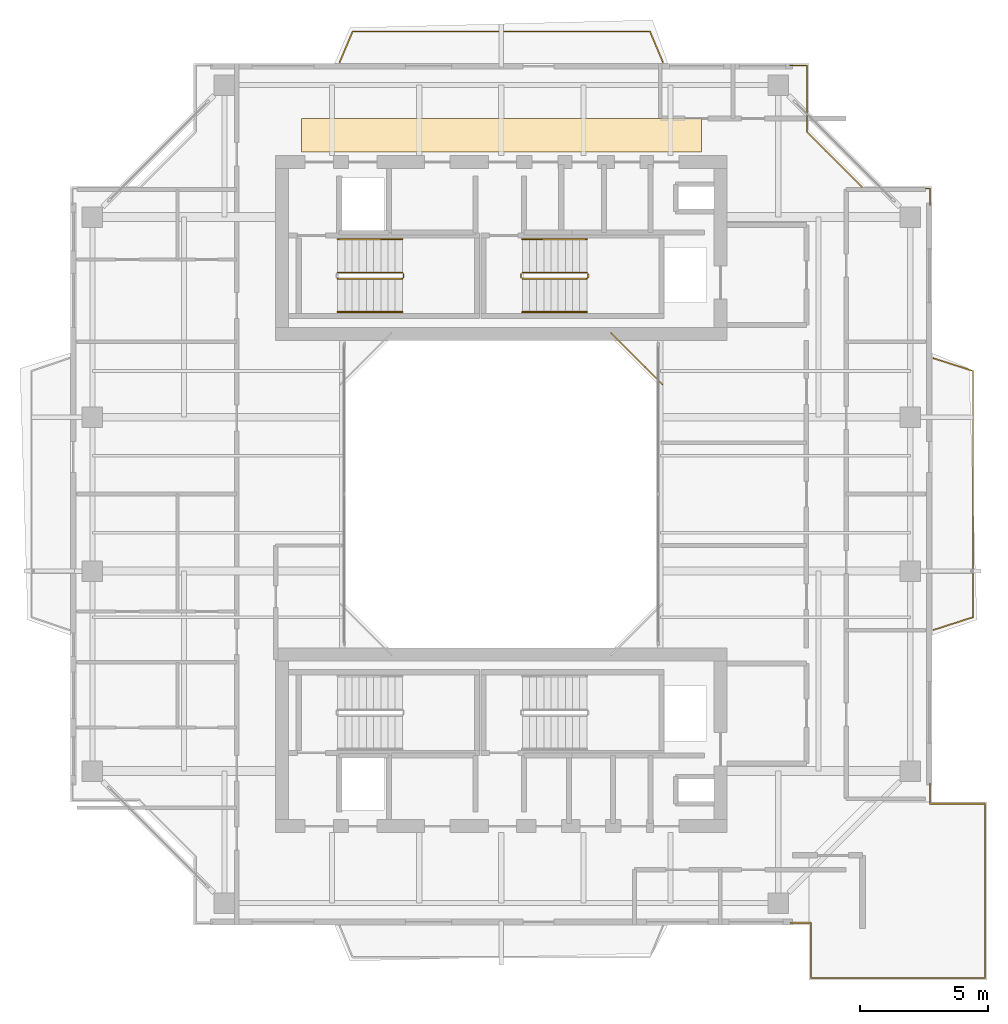
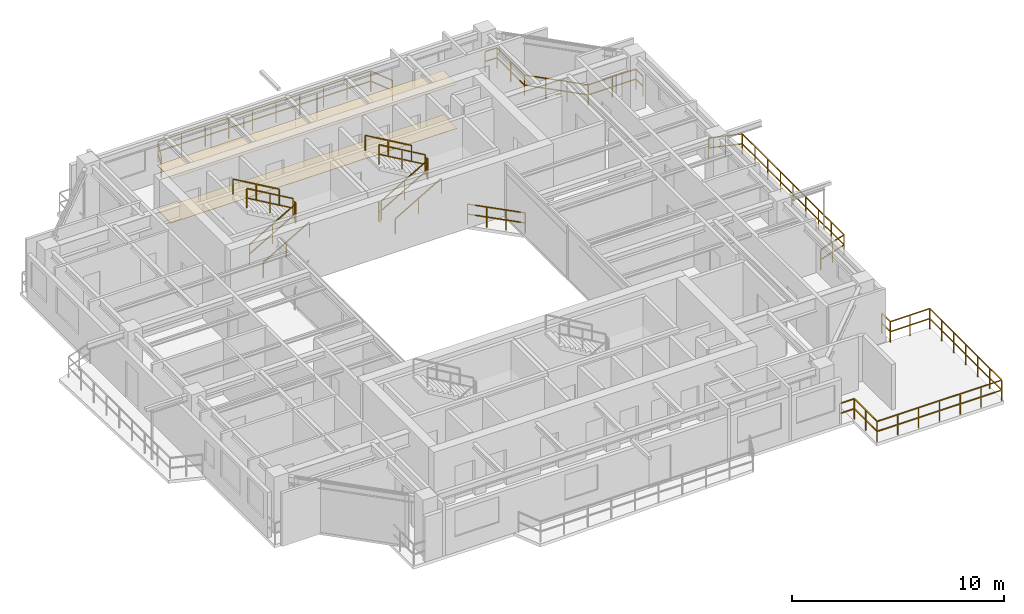
# One storey, part 15 of 15: 16 railings, 2 coverings.
"""IFC4 building model written with IfcOpenShell, lengths in metres."""

import ifcopenshell
import ifcopenshell.guid

model = None  # the IFC model being written
_history = None  # IfcOwnerHistory: only IFC2X3 demands one
_inside = {}  # id of a spatial element -> (the spatial element, [elements in it])
_under = {}  # id of a project, library or spatial element -> (it, [spatial elements below it])
_declared = {}  # id of a project -> (the project, [libraries it declares])
_typed = {}  # id of a type object -> (the type object, [elements of that type])
_made_of = {}  # id of a material, layer set ... -> (it, [elements and type objects made of it])


def new_model(schema):
    """Start an empty IFC model of exactly this schema.

    Asked for "IFC4X3", IfcOpenShell would pick the latest addendum, in which some entities
    have other attributes; the version numbers below select the first issue.
    IFC2X3 requires an IfcOwnerHistory on every rooted entity: one is made here for all.
    """
    global model, _history
    if schema == "IFC4X3":
        model = ifcopenshell.file(schema_version=(4, 3, 0, 0))
    else:
        model = ifcopenshell.file(schema=schema)
    _inside.clear()
    _under.clear()
    _declared.clear()
    _typed.clear()
    _made_of.clear()
    _history = None
    if model.schema == "IFC2X3":
        org = make("IfcOrganization", Name="unknown")
        user = make(
            "IfcPersonAndOrganization",
            ThePerson=make("IfcPerson", FamilyName="unknown"),
            TheOrganization=org,
        )
        app = make(
            "IfcApplication",
            ApplicationDeveloper=org,
            Version="unknown",
            ApplicationFullName="unknown",
            ApplicationIdentifier="unknown",
        )
        _history = make(
            "IfcOwnerHistory",
            OwningUser=user,
            OwningApplication=app,
            ChangeAction="ADDED",
            CreationDate=0,
        )
    return model


def make(cls, **values):
    """One entity of the class cls with the attributes given. An attribute that is None is left unset."""
    return model.create_entity(
        cls, **{name: value for name, value in values.items() if value is not None}
    )


def rooted(cls, **values):
    """An entity with a GlobalId (a new one), such as an element, a storey or a relation."""
    return make(cls, GlobalId=ifcopenshell.guid.new(), OwnerHistory=_history, **values)


def si_unit(unit_type, name, prefix=None):
    """IfcSIUnit, for example si_unit("LENGTHUNIT", "METRE", prefix="MILLI")."""
    return make("IfcSIUnit", UnitType=unit_type, Prefix=prefix, Name=name)


def assignment(units):
    """IfcUnitAssignment: the units of a project."""
    return None if units is None else make("IfcUnitAssignment", Units=units)


def point(xyz):
    """IfcCartesianPoint."""
    return None if xyz is None else make("IfcCartesianPoint", Coordinates=xyz)


def direction(xyz):
    """IfcDirection."""
    return None if xyz is None else make("IfcDirection", DirectionRatios=xyz)


def frame(location, z_axis=None, x_axis=None):
    """IfcAxis2Placement3D, a coordinate frame: its origin and axes. An axis left out is left unset."""
    return make(
        "IfcAxis2Placement3D",
        Location=point(location),
        Axis=direction(z_axis),
        RefDirection=direction(x_axis),
    )


def frame_2d(location, x_axis=None):
    """IfcAxis2Placement2D, a coordinate frame in the plane: its origin and x axis."""
    return make(
        "IfcAxis2Placement2D", Location=point(location), RefDirection=direction(x_axis)
    )


def origin():
    """The frame at (0, 0, 0) with its axes left unset."""
    return frame((0.0, 0.0, 0.0))


def origin_2d():
    """The frame at (0, 0) in the plane with its x axis left unset."""
    return frame_2d((0.0, 0.0))


def place(relative_to, where):
    """IfcLocalPlacement: puts the frame where relative to a parent placement (None: the world)."""
    return make(
        "IfcLocalPlacement", PlacementRelTo=relative_to, RelativePlacement=where
    )


def context(
    kind, dimensions, precision=None, world=None, true_north=None, identifier=None
):
    """IfcGeometricRepresentationContext, for example the 3D "Model" context."""
    return make(
        "IfcGeometricRepresentationContext",
        ContextIdentifier=identifier,
        ContextType=kind,
        CoordinateSpaceDimension=dimensions,
        Precision=precision,
        WorldCoordinateSystem=world,
        TrueNorth=true_north,
    )


def subcontext(parent, identifier, kind, view, scale=None):
    """IfcGeometricRepresentationSubContext, for example "Body" below "Model"."""
    return make(
        "IfcGeometricRepresentationSubContext",
        ContextIdentifier=identifier,
        ContextType=kind,
        ParentContext=parent,
        TargetScale=scale,
        TargetView=view,
    )


def project(units=None, contexts=None):
    """IfcProject with its units and contexts."""
    return rooted(
        "IfcProject",
        Name="project",
        RepresentationContexts=contexts,
        UnitsInContext=assignment(units),
    )


def spatial(cls, under=None, at=None, **own):
    """A site, building, storey or space (cls), placed at a placement, below another one or the project."""
    s = rooted(cls, ObjectPlacement=at, **own)
    if under is not None:
        _under.setdefault(under.id(), (under, []))[1].append(s)
    return s


def polyline(points):
    """IfcPolyline through the points."""
    return make("IfcPolyline", Points=[point(p) for p in points])


def profile(cls, at=None, kind="AREA", **sizes):
    """A parametric profile (cls). Its sizes go by their IFC names, for example OverallWidth=200.0."""
    return make(cls, ProfileType=kind, Position=at, **sizes)


def rectangle(**sizes):
    """IfcRectangleProfileDef."""
    return profile("IfcRectangleProfileDef", **sizes)


def outline(outer, holes=None, kind="AREA"):
    """IfcArbitraryClosedProfileDef: a profile drawn as a closed curve; with holes, ...WithVoids."""
    if holes is None:
        return make("IfcArbitraryClosedProfileDef", ProfileType=kind, OuterCurve=outer)
    return make(
        "IfcArbitraryProfileDefWithVoids",
        ProfileType=kind,
        OuterCurve=outer,
        InnerCurves=holes,
    )


def extrude(swept, where, along, depth):
    """IfcExtrudedAreaSolid: the profile swept, set in the frame where, extruded along a direction by depth."""
    return make(
        "IfcExtrudedAreaSolid",
        SweptArea=swept,
        Position=where,
        ExtrudedDirection=direction(along),
        Depth=depth,
    )


def shape(context_of_items, identifier, shape_type, items):
    """IfcShapeRepresentation: the items that make up one representation, for example the "Body"."""
    return make(
        "IfcShapeRepresentation",
        ContextOfItems=context_of_items,
        RepresentationIdentifier=identifier,
        RepresentationType=shape_type,
        Items=items,
    )


def material(Name=None, Category=None):
    """IfcMaterial."""
    return make("IfcMaterial", Name=Name, Category=Category)


def layer(
    of_material, thickness, ventilated=None, Name=None, Category=None, Priority=None
):
    """IfcMaterialLayer: one layer of a wall or slab, of a material (None: an air gap)."""
    return make(
        "IfcMaterialLayer",
        Material=of_material,
        LayerThickness=thickness,
        IsVentilated=ventilated,
        Name=Name,
        Category=Category,
        Priority=Priority,
    )


def layer_set(layers, Name=None):
    """IfcMaterialLayerSet."""
    return make("IfcMaterialLayerSet", MaterialLayers=layers, LayerSetName=Name)


def made_of(thing, what):
    """Note that an element or type object is made of a material, layer set ...; save() writes the relation."""
    if what is not None:
        _made_of.setdefault(what.id(), (what, []))[1].append(thing)
    return thing


def type_object(cls, material=None, **own):
    """A type object (cls), such as IfcWallType, which elements share."""
    return made_of(rooted(cls, **own), material)


def element(
    cls,
    number,
    at=None,
    inside=None,
    cuts=None,
    type_object=None,
    material=None,
    context=None,
    identifier="Body",
    shape_type=None,
    held_by="IfcProductDefinitionShape",
    body=None,
    shapes=None,
    **own,
):
    """One element of the class cls, such as IfcWall. Its Tag is "e" and its number.

    at: its placement. inside: the storey or other place that contains it. cuts: it is an
    opening in that element (IfcRelVoidsElement). A single representation is given by context,
    identifier, shape_type and body (its items); several are given by shapes. held_by: the class
    of the entity that holds the representations. save() writes the other relations.
    """
    e = rooted(cls, Tag="e%d" % number, ObjectPlacement=at, **own)
    if body is not None:
        shapes = [shape(context, identifier, shape_type, body)]
    if shapes is not None:
        e.Representation = make(held_by, Representations=shapes)
    if inside is not None:
        _inside.setdefault(inside.id(), (inside, []))[1].append(e)
    if cuts is not None:
        rooted(
            "IfcRelVoidsElement", RelatingBuildingElement=cuts, RelatedOpeningElement=e
        )
    if type_object is not None:
        _typed.setdefault(type_object.id(), (type_object, []))[1].append(e)
    return made_of(e, material)


def aggregate(whole, parts):
    """IfcRelAggregates: a whole, such as a stair, and the parts it consists of."""
    return rooted("IfcRelAggregates", RelatingObject=whole, RelatedObjects=parts)


def save(model, path):
    """Write the relations noted so far, then the file.

    IfcRelAggregates (storeys below a building ...), IfcRelContainedInSpatialStructure (elements
    in a storey), IfcRelDefinesByType, IfcRelAssociatesMaterial and IfcRelDeclares: one each for
    every whole, place, type object, material and project.
    """
    for whole, parts in _under.values():
        aggregate(whole, parts)
    for where, things in _inside.values():
        rooted(
            "IfcRelContainedInSpatialStructure",
            RelatedElements=things,
            RelatingStructure=where,
        )
    for kind, things in _typed.values():
        rooted("IfcRelDefinesByType", RelatedObjects=things, RelatingType=kind)
    for what, things in _made_of.values():
        rooted("IfcRelAssociatesMaterial", RelatedObjects=things, RelatingMaterial=what)
    for by, libraries in _declared.values():
        rooted("IfcRelDeclares", RelatingContext=by, RelatedDefinitions=libraries)
    model.write(path)


model = new_model("IFC4")

# Units and contexts
model_context = context("Model", 3, precision=1e-05, world=origin(), true_north=direction((0.0, 1.0)))
body_context = subcontext(model_context, "Body", "Model", "MODEL_VIEW")
ifc_project = project(units=[si_unit("LENGTHUNIT", "METRE"), si_unit("AREAUNIT", "SQUARE_METRE"), si_unit("VOLUMEUNIT", "CUBIC_METRE"), si_unit("PLANEANGLEUNIT", "RADIAN"), si_unit("MASSUNIT", "GRAM", prefix="KILO"), si_unit("THERMODYNAMICTEMPERATUREUNIT", "KELVIN"), si_unit("POWERUNIT", "WATT")], contexts=[model_context])

# Site, building, storey
site_placement = place(None, origin())
site = spatial("IfcSite", under=ifc_project, at=site_placement, CompositionType="ELEMENT")
building_placement = place(site_placement, origin())
building = spatial("IfcBuilding", under=site, at=building_placement, Name="Qiaomeng Ring Towers", CompositionType="ELEMENT")
storey_placement = place(building_placement, frame((0.0, 0.0, 213.25)))
storey = spatial("IfcBuildingStorey", under=building, at=storey_placement, Name="L62", CompositionType="ELEMENT", Elevation=213.25)

# Coverings
ifc_material_1 = material(Name="Mineral fibre acoustic ceiling tile", Category="gypsum")
ifc_layer_1 = layer(ifc_material_1, 0.02490234375, Name="Mineral fibre acoustic ceiling tile")
ifc_layer_set_1 = layer_set([ifc_layer_1], Name="Mineral fibre acoustic ceiling tile")
covering_type_1 = type_object("IfcCoveringType", Name="ARC-COV-CEIL1", PredefinedType="CEILING", material=ifc_layer_set_1)
covering_1_placement = place(storey_placement, frame((0.0, 0.0, 2.550048828125)))
element("IfcCovering", 1, at=covering_1_placement, inside=storey, type_object=covering_type_1, Name="L62 Corridor Acoustic Ceiling", PredefinedType="CEILING", context=body_context, shape_type="SweptSolid", body=[
    extrude(outline(polyline([(11.199951171875, 36.35009765625), (11.199951171875, 37.64990234375), (26.800048828125, 37.64990234375), (26.800048828125, 36.35009765625), (11.199951171875, 36.35009765625)])), origin(), (0.0, 0.0, 1.0), 0.02490234375),
])
ifc_material_2 = material(Name="Vitrified porcelain floor tile", Category="ceramic")
ifc_layer_2 = layer(ifc_material_2, 0.02001953125, Name="Vitrified porcelain floor tile")
ifc_layer_set_2 = layer_set([ifc_layer_2], Name="Vitrified porcelain floor tile")
covering_type_2 = type_object("IfcCoveringType", Name="ARC-COV-FLR1", PredefinedType="FLOORING", material=ifc_layer_set_2)
covering_2_placement = place(storey_placement, origin())
element("IfcCovering", 2, at=covering_2_placement, inside=storey, type_object=covering_type_2, Name="L62 Corridor Stone Flooring", PredefinedType="FLOORING", context=body_context, shape_type="SweptSolid", body=[
    extrude(outline(polyline([(11.199951171875, 36.35009765625), (11.199951171875, 37.64990234375), (26.800048828125, 37.64990234375), (26.800048828125, 36.35009765625), (11.199951171875, 36.35009765625)])), origin(), (0.0, 0.0, 1.0), 0.02001953125),
])

# Railings
ifc_material_3 = material(Name="Low-E pale-green laminated safety glass", Category="glass")
railing_type_1 = type_object("IfcRailingType", Name="ARC-RL-BAL1", PredefinedType="BALUSTRADE", material=ifc_material_3)
railing_1_placement = place(storey_placement, frame((25.280029296875, 27.280029296875, 0.0)))
element("IfcRailing", 3, at=railing_1_placement, inside=storey, type_object=railing_type_1, Name="L62 Balustrade ARC-BAL-WELL1-L62-2", PredefinedType="BALUSTRADE", context=body_context, shape_type="SweptSolid", body=[
    extrude(rectangle(XDim=0.048095703125, YDim=0.048095703125, at=origin_2d()), frame((0.0, 0.0, 1.17578125), z_axis=(-0.707106781187, 0.707106781187, 0.0), x_axis=(-0.707106781187, -0.707106781187, 0.0)), (0.0, 0.0, 1.0), 2.828369140625),
    extrude(rectangle(XDim=0.048095703125, YDim=0.048095703125, at=origin_2d()), frame((0.0, 0.0, 0.60009765625), z_axis=(-0.707106781187, 0.707106781187, 0.0), x_axis=(-0.707106781187, -0.707106781187, 0.0)), (0.0, 0.0, 1.0), 2.828369140625),
    extrude(rectangle(XDim=0.0419921875, YDim=0.0419921875, at=origin_2d()), origin(), (0.0, 0.0, 1.0), 1.15185546875),
    extrude(rectangle(XDim=0.0419921875, YDim=0.0419921875, at=origin_2d()), frame((-0.666748046875, 0.666748046875, 0.0)), (0.0, 0.0, 1.0), 1.15185546875),
    extrude(rectangle(XDim=0.0419921875, YDim=0.0419921875, at=origin_2d()), frame((-1.333251953125, 1.333251953125, 0.0)), (0.0, 0.0, 1.0), 1.15185546875),
    extrude(rectangle(XDim=0.0419921875, YDim=0.0419921875, at=origin_2d()), frame((-2.0, 2.0, 0.0)), (0.0, 0.0, 1.0), 1.15185546875),
])
railing_2_placement = place(storey_placement, frame((30.280029296875, 6.280029296875, 0.0)))
element("IfcRailing", 4, at=railing_2_placement, inside=storey, type_object=railing_type_1, Name="L62 Balustrade ARC-BAL-L62-SPIRAL-SE", PredefinedType="BALUSTRADE", context=body_context, shape_type="SweptSolid", body=[
    extrude(rectangle(XDim=0.048095703125, YDim=0.048095703125, at=origin_2d()), frame((0.0, 0.0, 1.17578125), z_axis=(1.0, 0.0, 0.0), x_axis=(0.0, 1.0, 0.0)), (0.0, 0.0, 1.0), 0.800048828125),
    extrude(rectangle(XDim=0.048095703125, YDim=0.048095703125, at=origin_2d()), frame((0.0, 0.0, 0.60009765625), z_axis=(1.0, 0.0, 0.0), x_axis=(0.0, 1.0, 0.0)), (0.0, 0.0, 1.0), 0.800048828125),
    extrude(rectangle(XDim=0.048095703125, YDim=0.048095703125, at=origin_2d()), frame((0.800048828125, 0.0, 1.17578125), z_axis=(0.0, -1.0, 0.0), x_axis=(1.0, 0.0, 0.0)), (0.0, 0.0, 1.0), 2.150146484375),
    extrude(rectangle(XDim=0.048095703125, YDim=0.048095703125, at=origin_2d()), frame((0.800048828125, 0.0, 0.60009765625), z_axis=(0.0, -1.0, 0.0), x_axis=(1.0, 0.0, 0.0)), (0.0, 0.0, 1.0), 2.150146484375),
    extrude(rectangle(XDim=0.048095703125, YDim=0.048095703125, at=origin_2d()), frame((0.800048828125, -2.150146484375, 1.17578125), z_axis=(1.0, 0.0, 0.0), x_axis=(0.0, 1.0, 0.0)), (0.0, 0.0, 1.0), 6.7900390625),
    extrude(rectangle(XDim=0.048095703125, YDim=0.048095703125, at=origin_2d()), frame((0.800048828125, -2.150146484375, 0.60009765625), z_axis=(1.0, 0.0, 0.0), x_axis=(0.0, 1.0, 0.0)), (0.0, 0.0, 1.0), 6.7900390625),
    extrude(rectangle(XDim=0.048095703125, YDim=0.048095703125, at=origin_2d()), frame((7.590087890625, -2.150146484375, 1.17578125), z_axis=(0.0, 1.0, 0.0), x_axis=(-1.0, 0.0, 0.0)), (0.0, 0.0, 1.0), 6.7900390625),
    extrude(rectangle(XDim=0.048095703125, YDim=0.048095703125, at=origin_2d()), frame((7.590087890625, -2.150146484375, 0.60009765625), z_axis=(0.0, 1.0, 0.0), x_axis=(-1.0, 0.0, 0.0)), (0.0, 0.0, 1.0), 6.7900390625),
    extrude(rectangle(XDim=0.048095703125, YDim=0.048095703125, at=origin_2d()), frame((7.590087890625, 4.639892578125, 1.17578125), z_axis=(-1.0, 0.0, 0.0), x_axis=(0.0, -1.0, 0.0)), (0.0, 0.0, 1.0), 2.150146484375),
    extrude(rectangle(XDim=0.048095703125, YDim=0.048095703125, at=origin_2d()), frame((7.590087890625, 4.639892578125, 0.60009765625), z_axis=(-1.0, 0.0, 0.0), x_axis=(0.0, -1.0, 0.0)), (0.0, 0.0, 1.0), 2.150146484375),
    extrude(rectangle(XDim=0.048095703125, YDim=0.048095703125, at=origin_2d()), frame((5.43994140625, 4.639892578125, 1.17578125), z_axis=(0.0, 1.0, 0.0), x_axis=(-1.0, 0.0, 0.0)), (0.0, 0.0, 1.0), 0.800048828125),
    extrude(rectangle(XDim=0.048095703125, YDim=0.048095703125, at=origin_2d()), frame((5.43994140625, 4.639892578125, 0.60009765625), z_axis=(0.0, 1.0, 0.0), x_axis=(-1.0, 0.0, 0.0)), (0.0, 0.0, 1.0), 0.800048828125),
    extrude(rectangle(XDim=0.0419921875, YDim=0.0419921875, at=origin_2d()), origin(), (0.0, 0.0, 1.0), 1.15185546875),
    extrude(rectangle(XDim=0.0419921875, YDim=0.0419921875, at=origin_2d()), frame((0.800048828125, 0.0, 0.0)), (0.0, 0.0, 1.0), 1.15185546875),
    extrude(rectangle(XDim=0.0419921875, YDim=0.0419921875, at=origin_2d()), frame((0.800048828125, -1.0751953125, 0.0)), (0.0, 0.0, 1.0), 1.15185546875),
    extrude(rectangle(XDim=0.0419921875, YDim=0.0419921875, at=origin_2d()), frame((0.800048828125, -2.150146484375, 0.0)), (0.0, 0.0, 1.0), 1.15185546875),
    extrude(rectangle(XDim=0.0419921875, YDim=0.0419921875, at=origin_2d()), frame((1.931640625, -2.150146484375, 0.0)), (0.0, 0.0, 1.0), 1.15185546875),
    extrude(rectangle(XDim=0.0419921875, YDim=0.0419921875, at=origin_2d()), frame((3.0634765625, -2.150146484375, 0.0)), (0.0, 0.0, 1.0), 1.15185546875),
    extrude(rectangle(XDim=0.0419921875, YDim=0.0419921875, at=origin_2d()), frame((4.195068359375, -2.150146484375, 0.0)), (0.0, 0.0, 1.0), 1.15185546875),
    extrude(rectangle(XDim=0.0419921875, YDim=0.0419921875, at=origin_2d()), frame((5.32666015625, -2.150146484375, 0.0)), (0.0, 0.0, 1.0), 1.15185546875),
    extrude(rectangle(XDim=0.0419921875, YDim=0.0419921875, at=origin_2d()), frame((6.45849609375, -2.150146484375, 0.0)), (0.0, 0.0, 1.0), 1.15185546875),
    extrude(rectangle(XDim=0.0419921875, YDim=0.0419921875, at=origin_2d()), frame((7.590087890625, -2.150146484375, 0.0)), (0.0, 0.0, 1.0), 1.15185546875),
    extrude(rectangle(XDim=0.0419921875, YDim=0.0419921875, at=origin_2d()), frame((7.590087890625, -1.0185546875, 0.0)), (0.0, 0.0, 1.0), 1.15185546875),
    extrude(rectangle(XDim=0.0419921875, YDim=0.0419921875, at=origin_2d()), frame((7.590087890625, 0.11328125, 0.0)), (0.0, 0.0, 1.0), 1.15185546875),
    extrude(rectangle(XDim=0.0419921875, YDim=0.0419921875, at=origin_2d()), frame((7.590087890625, 1.244873046875, 0.0)), (0.0, 0.0, 1.0), 1.15185546875),
    extrude(rectangle(XDim=0.0419921875, YDim=0.0419921875, at=origin_2d()), frame((7.590087890625, 2.37646484375, 0.0)), (0.0, 0.0, 1.0), 1.15185546875),
    extrude(rectangle(XDim=0.0419921875, YDim=0.0419921875, at=origin_2d()), frame((7.590087890625, 3.50830078125, 0.0)), (0.0, 0.0, 1.0), 1.15185546875),
    extrude(rectangle(XDim=0.0419921875, YDim=0.0419921875, at=origin_2d()), frame((7.590087890625, 4.639892578125, 0.0)), (0.0, 0.0, 1.0), 1.15185546875),
    extrude(rectangle(XDim=0.0419921875, YDim=0.0419921875, at=origin_2d()), frame((6.51513671875, 4.639892578125, 0.0)), (0.0, 0.0, 1.0), 1.15185546875),
    extrude(rectangle(XDim=0.0419921875, YDim=0.0419921875, at=origin_2d()), frame((5.43994140625, 4.639892578125, 0.0)), (0.0, 0.0, 1.0), 1.15185546875),
    extrude(rectangle(XDim=0.0419921875, YDim=0.0419921875, at=origin_2d()), frame((5.43994140625, 5.43994140625, 0.0)), (0.0, 0.0, 1.0), 1.15185546875),
])
railing_3_placement = place(storey_placement, frame((35.719970703125, 34.27001953125, 0.0)))
element("IfcRailing", 5, at=railing_3_placement, inside=storey, type_object=railing_type_1, Name="L62 Balustrade ARC-BAL-NOTCH1-L62-NE", PredefinedType="BALUSTRADE", context=body_context, shape_type="SweptSolid", body=[
    extrude(rectangle(XDim=0.048095703125, YDim=0.048095703125, at=origin_2d()), frame((0.0, 0.0, 1.17578125), z_axis=(0.0, 1.0, 0.0), x_axis=(-1.0, 0.0, 0.0)), (0.0, 0.0, 1.0), 0.64990234375),
    extrude(rectangle(XDim=0.048095703125, YDim=0.048095703125, at=origin_2d()), frame((0.0, 0.0, 0.60009765625), z_axis=(0.0, 1.0, 0.0), x_axis=(-1.0, 0.0, 0.0)), (0.0, 0.0, 1.0), 0.64990234375),
    extrude(rectangle(XDim=0.048095703125, YDim=0.048095703125, at=origin_2d()), frame((0.0, 0.64990234375, 1.17578125), z_axis=(-1.0, 0.0, 0.0), x_axis=(0.0, -1.0, 0.0)), (0.0, 0.0, 1.0), 2.599853515625),
    extrude(rectangle(XDim=0.048095703125, YDim=0.048095703125, at=origin_2d()), frame((0.0, 0.64990234375, 0.60009765625), z_axis=(-1.0, 0.0, 0.0), x_axis=(0.0, -1.0, 0.0)), (0.0, 0.0, 1.0), 2.599853515625),
    extrude(rectangle(XDim=0.048095703125, YDim=0.048095703125, at=origin_2d()), frame((-2.599853515625, 0.64990234375, 1.17578125), z_axis=(-0.707106781187, 0.707106781187, 0.0), x_axis=(-0.707106781187, -0.707106781187, 0.0)), (0.0, 0.0, 1.0), 3.111572265625),
    extrude(rectangle(XDim=0.048095703125, YDim=0.048095703125, at=origin_2d()), frame((-2.599853515625, 0.64990234375, 0.60009765625), z_axis=(-0.707106781187, 0.707106781187, 0.0), x_axis=(-0.707106781187, -0.707106781187, 0.0)), (0.0, 0.0, 1.0), 3.111572265625),
    extrude(rectangle(XDim=0.048095703125, YDim=0.048095703125, at=origin_2d()), frame((-4.800048828125, 2.85009765625, 1.17578125), z_axis=(0.0, 1.0, 0.0), x_axis=(-1.0, 0.0, 0.0)), (0.0, 0.0, 1.0), 2.599853515625),
    extrude(rectangle(XDim=0.048095703125, YDim=0.048095703125, at=origin_2d()), frame((-4.800048828125, 2.85009765625, 0.60009765625), z_axis=(0.0, 1.0, 0.0), x_axis=(-1.0, 0.0, 0.0)), (0.0, 0.0, 1.0), 2.599853515625),
    extrude(rectangle(XDim=0.048095703125, YDim=0.048095703125, at=origin_2d()), frame((-4.800048828125, 5.449951171875, 1.17578125), z_axis=(-1.0, 0.0, 0.0), x_axis=(0.0, -1.0, 0.0)), (0.0, 0.0, 1.0), 0.64990234375),
    extrude(rectangle(XDim=0.048095703125, YDim=0.048095703125, at=origin_2d()), frame((-4.800048828125, 5.449951171875, 0.60009765625), z_axis=(-1.0, 0.0, 0.0), x_axis=(0.0, -1.0, 0.0)), (0.0, 0.0, 1.0), 0.64990234375),
    extrude(rectangle(XDim=0.0419921875, YDim=0.0419921875, at=origin_2d()), origin(), (0.0, 0.0, 1.0), 1.15185546875),
    extrude(rectangle(XDim=0.0419921875, YDim=0.0419921875, at=origin_2d()), frame((0.0, 0.64990234375, 0.0)), (0.0, 0.0, 1.0), 1.15185546875),
    extrude(rectangle(XDim=0.0419921875, YDim=0.0419921875, at=origin_2d()), frame((-1.2998046875, 0.64990234375, 0.0)), (0.0, 0.0, 1.0), 1.15185546875),
    extrude(rectangle(XDim=0.0419921875, YDim=0.0419921875, at=origin_2d()), frame((-2.599853515625, 0.64990234375, 0.0)), (0.0, 0.0, 1.0), 1.15185546875),
    extrude(rectangle(XDim=0.0419921875, YDim=0.0419921875, at=origin_2d()), frame((-3.333251953125, 1.38330078125, 0.0)), (0.0, 0.0, 1.0), 1.15185546875),
    extrude(rectangle(XDim=0.0419921875, YDim=0.0419921875, at=origin_2d()), frame((-4.066650390625, 2.11669921875, 0.0)), (0.0, 0.0, 1.0), 1.15185546875),
    extrude(rectangle(XDim=0.0419921875, YDim=0.0419921875, at=origin_2d()), frame((-4.800048828125, 2.85009765625, 0.0)), (0.0, 0.0, 1.0), 1.15185546875),
    extrude(rectangle(XDim=0.0419921875, YDim=0.0419921875, at=origin_2d()), frame((-4.800048828125, 4.14990234375, 0.0)), (0.0, 0.0, 1.0), 1.15185546875),
    extrude(rectangle(XDim=0.0419921875, YDim=0.0419921875, at=origin_2d()), frame((-4.800048828125, 5.449951171875, 0.0)), (0.0, 0.0, 1.0), 1.15185546875),
    extrude(rectangle(XDim=0.0419921875, YDim=0.0419921875, at=origin_2d()), frame((-5.449951171875, 5.449951171875, 0.0)), (0.0, 0.0, 1.0), 1.15185546875),
])
railing_4_placement = place(storey_placement, frame((35.85009765625, 17.699951171875, 0.0)))
element("IfcRailing", 6, at=railing_4_placement, inside=storey, type_object=railing_type_1, Name="L62 Balustrade ARC-BAL-L62-T1-E", PredefinedType="BALUSTRADE", context=body_context, shape_type="SweptSolid", body=[
    extrude(rectangle(XDim=0.048095703125, YDim=0.048095703125, at=origin_2d()), frame((0.0, 0.0, 1.17578125), z_axis=(0.951697313001, 0.307037822468, 0.0), x_axis=(-0.307037822468, 0.951697313001, 0.0)), (0.0, 0.0, 1.0), 1.62841796875),
    extrude(rectangle(XDim=0.048095703125, YDim=0.048095703125, at=origin_2d()), frame((0.0, 0.0, 0.60009765625), z_axis=(0.951697313001, 0.307037822468, 0.0), x_axis=(-0.307037822468, 0.951697313001, 0.0)), (0.0, 0.0, 1.0), 1.62841796875),
    extrude(rectangle(XDim=0.048095703125, YDim=0.048095703125, at=origin_2d()), frame((1.5498046875, 0.5, 1.17578125), z_axis=(0.0, 1.0, 0.0), x_axis=(-1.0, 0.0, 0.0)), (0.0, 0.0, 1.0), 9.60009765625),
    extrude(rectangle(XDim=0.048095703125, YDim=0.048095703125, at=origin_2d()), frame((1.5498046875, 0.5, 0.60009765625), z_axis=(0.0, 1.0, 0.0), x_axis=(-1.0, 0.0, 0.0)), (0.0, 0.0, 1.0), 9.60009765625),
    extrude(rectangle(XDim=0.048095703125, YDim=0.048095703125, at=origin_2d()), frame((1.5498046875, 10.10009765625, 1.17578125), z_axis=(-0.951697313001, 0.307037822468, 0.0), x_axis=(-0.307037822468, -0.951697313001, 0.0)), (0.0, 0.0, 1.0), 1.62841796875),
    extrude(rectangle(XDim=0.048095703125, YDim=0.048095703125, at=origin_2d()), frame((1.5498046875, 10.10009765625, 0.60009765625), z_axis=(-0.951697313001, 0.307037822468, 0.0), x_axis=(-0.307037822468, -0.951697313001, 0.0)), (0.0, 0.0, 1.0), 1.62841796875),
    extrude(rectangle(XDim=0.0419921875, YDim=0.0419921875, at=origin_2d()), origin(), (0.0, 0.0, 1.0), 1.15185546875),
    extrude(rectangle(XDim=0.0419921875, YDim=0.0419921875, at=origin_2d()), frame((0.77490234375, 0.25, 0.0)), (0.0, 0.0, 1.0), 1.15185546875),
    extrude(rectangle(XDim=0.0419921875, YDim=0.0419921875, at=origin_2d()), frame((1.5498046875, 0.5, 0.0)), (0.0, 0.0, 1.0), 1.15185546875),
    extrude(rectangle(XDim=0.0419921875, YDim=0.0419921875, at=origin_2d()), frame((1.5498046875, 1.699951171875, 0.0)), (0.0, 0.0, 1.0), 1.15185546875),
    extrude(rectangle(XDim=0.0419921875, YDim=0.0419921875, at=origin_2d()), frame((1.5498046875, 2.89990234375, 0.0)), (0.0, 0.0, 1.0), 1.15185546875),
    extrude(rectangle(XDim=0.0419921875, YDim=0.0419921875, at=origin_2d()), frame((1.5498046875, 4.10009765625, 0.0)), (0.0, 0.0, 1.0), 1.15185546875),
    extrude(rectangle(XDim=0.0419921875, YDim=0.0419921875, at=origin_2d()), frame((1.5498046875, 5.300048828125, 0.0)), (0.0, 0.0, 1.0), 1.15185546875),
    extrude(rectangle(XDim=0.0419921875, YDim=0.0419921875, at=origin_2d()), frame((1.5498046875, 6.5, 0.0)), (0.0, 0.0, 1.0), 1.15185546875),
    extrude(rectangle(XDim=0.0419921875, YDim=0.0419921875, at=origin_2d()), frame((1.5498046875, 7.7001953125, 0.0)), (0.0, 0.0, 1.0), 1.15185546875),
    extrude(rectangle(XDim=0.0419921875, YDim=0.0419921875, at=origin_2d()), frame((1.5498046875, 8.900146484375, 0.0)), (0.0, 0.0, 1.0), 1.15185546875),
    extrude(rectangle(XDim=0.0419921875, YDim=0.0419921875, at=origin_2d()), frame((1.5498046875, 10.10009765625, 0.0)), (0.0, 0.0, 1.0), 1.15185546875),
    extrude(rectangle(XDim=0.0419921875, YDim=0.0419921875, at=origin_2d()), frame((0.77490234375, 10.35009765625, 0.0)), (0.0, 0.0, 1.0), 1.15185546875),
    extrude(rectangle(XDim=0.0419921875, YDim=0.0419921875, at=origin_2d()), frame((0.0, 10.60009765625, 0.0)), (0.0, 0.0, 1.0), 1.15185546875),
])
railing_5_placement = place(storey_placement, frame((12.699951171875, 39.85009765625, 0.0)))
element("IfcRailing", 7, at=railing_5_placement, inside=storey, type_object=railing_type_1, Name="L62 Balustrade ARC-BAL-L62-T1-N", PredefinedType="BALUSTRADE", context=body_context, shape_type="SweptSolid", body=[
    extrude(rectangle(XDim=0.048095703125, YDim=0.048095703125, at=origin_2d()), frame((0.0, 0.0, 1.17578125), z_axis=(0.387380404006, 0.921919965394, 0.0), x_axis=(-0.921919965394, 0.387380404006, 0.0)), (0.0, 0.0, 1.0), 1.290771484375),
    extrude(rectangle(XDim=0.048095703125, YDim=0.048095703125, at=origin_2d()), frame((0.0, 0.0, 0.60009765625), z_axis=(0.387380404006, 0.921919965394, 0.0), x_axis=(-0.921919965394, 0.387380404006, 0.0)), (0.0, 0.0, 1.0), 1.290771484375),
    extrude(rectangle(XDim=0.048095703125, YDim=0.048095703125, at=origin_2d()), frame((0.5, 1.18994140625, 1.17578125), z_axis=(1.0, 0.0, 0.0), x_axis=(0.0, 1.0, 0.0)), (0.0, 0.0, 1.0), 11.60009765625),
    extrude(rectangle(XDim=0.048095703125, YDim=0.048095703125, at=origin_2d()), frame((0.5, 1.18994140625, 0.60009765625), z_axis=(1.0, 0.0, 0.0), x_axis=(0.0, 1.0, 0.0)), (0.0, 0.0, 1.0), 11.60009765625),
    extrude(rectangle(XDim=0.048095703125, YDim=0.048095703125, at=origin_2d()), frame((12.10009765625, 1.18994140625, 1.17578125), z_axis=(0.387380404006, -0.921919965394, 0.0), x_axis=(0.921919965394, 0.387380404006, 0.0)), (0.0, 0.0, 1.0), 1.290771484375),
    extrude(rectangle(XDim=0.048095703125, YDim=0.048095703125, at=origin_2d()), frame((12.10009765625, 1.18994140625, 0.60009765625), z_axis=(0.387380404006, -0.921919965394, 0.0), x_axis=(0.921919965394, 0.387380404006, 0.0)), (0.0, 0.0, 1.0), 1.290771484375),
    extrude(rectangle(XDim=0.0419921875, YDim=0.0419921875, at=origin_2d()), origin(), (0.0, 0.0, 1.0), 1.15185546875),
    extrude(rectangle(XDim=0.0419921875, YDim=0.0419921875, at=origin_2d()), frame((0.5, 1.18994140625, 0.0)), (0.0, 0.0, 1.0), 1.15185546875),
    extrude(rectangle(XDim=0.0419921875, YDim=0.0419921875, at=origin_2d()), frame((1.788818359375, 1.18994140625, 0.0)), (0.0, 0.0, 1.0), 1.15185546875),
    extrude(rectangle(XDim=0.0419921875, YDim=0.0419921875, at=origin_2d()), frame((3.077880859375, 1.18994140625, 0.0)), (0.0, 0.0, 1.0), 1.15185546875),
    extrude(rectangle(XDim=0.0419921875, YDim=0.0419921875, at=origin_2d()), frame((4.36669921875, 1.18994140625, 0.0)), (0.0, 0.0, 1.0), 1.15185546875),
    extrude(rectangle(XDim=0.0419921875, YDim=0.0419921875, at=origin_2d()), frame((5.655517578125, 1.18994140625, 0.0)), (0.0, 0.0, 1.0), 1.15185546875),
    extrude(rectangle(XDim=0.0419921875, YDim=0.0419921875, at=origin_2d()), frame((6.944580078125, 1.18994140625, 0.0)), (0.0, 0.0, 1.0), 1.15185546875),
    extrude(rectangle(XDim=0.0419921875, YDim=0.0419921875, at=origin_2d()), frame((8.2333984375, 1.18994140625, 0.0)), (0.0, 0.0, 1.0), 1.15185546875),
    extrude(rectangle(XDim=0.0419921875, YDim=0.0419921875, at=origin_2d()), frame((9.522216796875, 1.18994140625, 0.0)), (0.0, 0.0, 1.0), 1.15185546875),
    extrude(rectangle(XDim=0.0419921875, YDim=0.0419921875, at=origin_2d()), frame((10.811279296875, 1.18994140625, 0.0)), (0.0, 0.0, 1.0), 1.15185546875),
    extrude(rectangle(XDim=0.0419921875, YDim=0.0419921875, at=origin_2d()), frame((12.10009765625, 1.18994140625, 0.0)), (0.0, 0.0, 1.0), 1.15185546875),
    extrude(rectangle(XDim=0.0419921875, YDim=0.0419921875, at=origin_2d()), frame((12.60009765625, 0.0, 0.0)), (0.0, 0.0, 1.0), 1.15185546875),
])
ifc_material_4 = material(Name="Galvanised steel", Category="steel")
railing_type_2 = type_object("IfcRailingType", Name="ARC-RL-GUARD", PredefinedType="GUARDRAIL", material=ifc_material_4)
railing_6_placement = place(storey_placement, frame((12.6201171875, 31.39990234375, 0.16259765625)))
element("IfcRailing", 8, at=railing_6_placement, inside=storey, type_object=railing_type_2, Name="L62 ST1 stair guard 1", PredefinedType="GUARDRAIL", context=body_context, shape_type="SweptSolid", body=[
    extrude(rectangle(XDim=0.048095703125, YDim=0.048095703125, at=origin_2d()), frame((0.0, 0.0, 1.1259765625), z_axis=(0.864892226395, 0.0, 0.501957604506), x_axis=(0.0, 1.0, 0.0)), (0.0, 0.0, 1.0), 2.913330078125),
    extrude(rectangle(XDim=0.048095703125, YDim=0.048095703125, at=origin_2d()), frame((0.0, 0.0, 0.574951171875), z_axis=(0.864892226395, 0.0, 0.501957604506), x_axis=(0.0, 1.0, 0.0)), (0.0, 0.0, 1.0), 2.913330078125),
    extrude(rectangle(XDim=0.0419921875, YDim=0.0419921875, at=origin_2d()), origin(), (0.0, 0.0, 1.0), 1.101806640625),
    extrude(rectangle(XDim=0.0419921875, YDim=0.0419921875, at=origin_2d()), frame((1.259765625, 0.0, 0.731201171875)), (0.0, 0.0, 1.0), 1.101806640625),
    extrude(rectangle(XDim=0.0419921875, YDim=0.0419921875, at=origin_2d()), frame((2.519775390625, 0.0, 1.46240234375)), (0.0, 0.0, 1.0), 1.101806640625),
])
railing_7_placement = place(storey_placement, frame((15.18994140625, 31.449951171875, 1.625)))
element("IfcRailing", 9, at=railing_7_placement, inside=storey, type_object=railing_type_2, Name="L62 ST1 stair guard 2", PredefinedType="GUARDRAIL", context=body_context, shape_type="SweptSolid", body=[
    extrude(rectangle(XDim=0.048095703125, YDim=0.048095703125, at=origin_2d()), frame((0.0, 0.0, 1.1259765625), z_axis=(0.0, 1.0, 0.0), x_axis=(-1.0, 0.0, 0.0)), (0.0, 0.0, 1.0), 0.14013671875),
    extrude(rectangle(XDim=0.048095703125, YDim=0.048095703125, at=origin_2d()), frame((0.0, 0.0, 0.574951171875), z_axis=(0.0, 1.0, 0.0), x_axis=(-1.0, 0.0, 0.0)), (0.0, 0.0, 1.0), 0.14013671875),
    extrude(rectangle(XDim=0.0419921875, YDim=0.0419921875, at=origin_2d()), origin(), (0.0, 0.0, 1.0), 1.101806640625),
    extrude(rectangle(XDim=0.0419921875, YDim=0.0419921875, at=origin_2d()), frame((0.0, 0.14013671875, 0.0)), (0.0, 0.0, 1.0), 1.101806640625),
])
railing_8_placement = place(storey_placement, frame((15.139892578125, 31.639892578125, 1.78759765625)))
element("IfcRailing", 10, at=railing_8_placement, inside=storey, type_object=railing_type_2, Name="L62 ST1 stair guard 3", PredefinedType="GUARDRAIL", context=body_context, shape_type="SweptSolid", body=[
    extrude(rectangle(XDim=0.048095703125, YDim=0.048095703125, at=origin_2d()), frame((0.0, 0.0, 1.1259765625), z_axis=(-0.864892226395, 0.0, 0.501957604506), x_axis=(0.0, -1.0, 0.0)), (0.0, 0.0, 1.0), 2.913330078125),
    extrude(rectangle(XDim=0.048095703125, YDim=0.048095703125, at=origin_2d()), frame((0.0, 0.0, 0.574951171875), z_axis=(-0.864892226395, 0.0, 0.501957604506), x_axis=(0.0, -1.0, 0.0)), (0.0, 0.0, 1.0), 2.913330078125),
    extrude(rectangle(XDim=0.0419921875, YDim=0.0419921875, at=origin_2d()), origin(), (0.0, 0.0, 1.0), 1.101806640625),
    extrude(rectangle(XDim=0.0419921875, YDim=0.0419921875, at=origin_2d()), frame((-1.259765625, 0.0, 0.731201171875)), (0.0, 0.0, 1.0), 1.101806640625),
    extrude(rectangle(XDim=0.0419921875, YDim=0.0419921875, at=origin_2d()), frame((-2.519775390625, 0.0, 1.46240234375)), (0.0, 0.0, 1.0), 1.101806640625),
])
railing_9_placement = place(storey_placement, frame((19.820068359375, 31.39990234375, 0.16259765625)))
element("IfcRailing", 11, at=railing_9_placement, inside=storey, type_object=railing_type_2, Name="L62 ST2 stair guard 1", PredefinedType="GUARDRAIL", context=body_context, shape_type="SweptSolid", body=[
    extrude(rectangle(XDim=0.048095703125, YDim=0.048095703125, at=origin_2d()), frame((0.0, 0.0, 1.1259765625), z_axis=(0.864913338283, 0.0, 0.50192122615), x_axis=(0.0, 1.0, 0.0)), (0.0, 0.0, 1.0), 2.91357421875),
    extrude(rectangle(XDim=0.048095703125, YDim=0.048095703125, at=origin_2d()), frame((0.0, 0.0, 0.574951171875), z_axis=(0.864913338283, 0.0, 0.50192122615), x_axis=(0.0, 1.0, 0.0)), (0.0, 0.0, 1.0), 2.91357421875),
    extrude(rectangle(XDim=0.0419921875, YDim=0.0419921875, at=origin_2d()), origin(), (0.0, 0.0, 1.0), 1.101806640625),
    extrude(rectangle(XDim=0.0419921875, YDim=0.0419921875, at=origin_2d()), frame((1.260009765625, 0.0, 0.731201171875)), (0.0, 0.0, 1.0), 1.101806640625),
    extrude(rectangle(XDim=0.0419921875, YDim=0.0419921875, at=origin_2d()), frame((2.52001953125, 0.0, 1.46240234375)), (0.0, 0.0, 1.0), 1.101806640625),
])
railing_10_placement = place(storey_placement, frame((22.389892578125, 31.449951171875, 1.625)))
element("IfcRailing", 12, at=railing_10_placement, inside=storey, type_object=railing_type_2, Name="L62 ST2 stair guard 2", PredefinedType="GUARDRAIL", context=body_context, shape_type="SweptSolid", body=[
    extrude(rectangle(XDim=0.048095703125, YDim=0.048095703125, at=origin_2d()), frame((0.0, 0.0, 1.1259765625), z_axis=(0.0, 1.0, 0.0), x_axis=(-1.0, 0.0, 0.0)), (0.0, 0.0, 1.0), 0.14013671875),
    extrude(rectangle(XDim=0.048095703125, YDim=0.048095703125, at=origin_2d()), frame((0.0, 0.0, 0.574951171875), z_axis=(0.0, 1.0, 0.0), x_axis=(-1.0, 0.0, 0.0)), (0.0, 0.0, 1.0), 0.14013671875),
    extrude(rectangle(XDim=0.0419921875, YDim=0.0419921875, at=origin_2d()), origin(), (0.0, 0.0, 1.0), 1.101806640625),
    extrude(rectangle(XDim=0.0419921875, YDim=0.0419921875, at=origin_2d()), frame((0.0, 0.14013671875, 0.0)), (0.0, 0.0, 1.0), 1.101806640625),
])
railing_11_placement = place(storey_placement, frame((22.340087890625, 31.639892578125, 1.78759765625)))
element("IfcRailing", 13, at=railing_11_placement, inside=storey, type_object=railing_type_2, Name="L62 ST2 stair guard 3", PredefinedType="GUARDRAIL", context=body_context, shape_type="SweptSolid", body=[
    extrude(rectangle(XDim=0.048095703125, YDim=0.048095703125, at=origin_2d()), frame((0.0, 0.0, 1.1259765625), z_axis=(-0.864913338283, 0.0, 0.50192122615), x_axis=(0.0, -1.0, 0.0)), (0.0, 0.0, 1.0), 2.91357421875),
    extrude(rectangle(XDim=0.048095703125, YDim=0.048095703125, at=origin_2d()), frame((0.0, 0.0, 0.574951171875), z_axis=(-0.864913338283, 0.0, 0.50192122615), x_axis=(0.0, -1.0, 0.0)), (0.0, 0.0, 1.0), 2.91357421875),
    extrude(rectangle(XDim=0.0419921875, YDim=0.0419921875, at=origin_2d()), origin(), (0.0, 0.0, 1.0), 1.101806640625),
    extrude(rectangle(XDim=0.0419921875, YDim=0.0419921875, at=origin_2d()), frame((-1.260009765625, 0.0, 0.731201171875)), (0.0, 0.0, 1.0), 1.101806640625),
    extrude(rectangle(XDim=0.0419921875, YDim=0.0419921875, at=origin_2d()), frame((-2.52001953125, 0.0, 1.46240234375)), (0.0, 0.0, 1.0), 1.101806640625),
])
railing_12_placement = place(storey_placement, frame((19.77001953125, 31.449951171875, 0.0)))
element("IfcRailing", 14, at=railing_12_placement, inside=storey, type_object=railing_type_2, Name="L62 ST2 stair guard 4", PredefinedType="GUARDRAIL", context=body_context, shape_type="SweptSolid", body=[
    extrude(rectangle(XDim=0.048095703125, YDim=0.048095703125, at=origin_2d()), frame((0.0, 0.0, 1.1259765625), z_axis=(0.0, 1.0, 0.0), x_axis=(-1.0, 0.0, 0.0)), (0.0, 0.0, 1.0), 0.14013671875),
    extrude(rectangle(XDim=0.048095703125, YDim=0.048095703125, at=origin_2d()), frame((0.0, 0.0, 0.574951171875), z_axis=(0.0, 1.0, 0.0), x_axis=(-1.0, 0.0, 0.0)), (0.0, 0.0, 1.0), 0.14013671875),
    extrude(rectangle(XDim=0.0419921875, YDim=0.0419921875, at=origin_2d()), origin(), (0.0, 0.0, 1.0), 1.101806640625),
    extrude(rectangle(XDim=0.0419921875, YDim=0.0419921875, at=origin_2d()), frame((0.0, 0.14013671875, 0.0)), (0.0, 0.0, 1.0), 1.101806640625),
])
ifc_material_5 = material(Name="Stainless steel 316", Category="steel")
railing_type_3 = type_object("IfcRailingType", Name="ARC-RL-HAND", PredefinedType="HANDRAIL", material=ifc_material_5)
railing_13_placement = place(storey_placement, frame((12.6201171875, 30.10009765625, 0.16259765625)))
element("IfcRailing", 15, at=railing_13_placement, inside=storey, type_object=railing_type_3, Name="L62 ST1 stair handrail 1", PredefinedType="HANDRAIL", context=body_context, shape_type="SweptSolid", body=[
    extrude(rectangle(XDim=0.048095703125, YDim=0.048095703125, at=origin_2d()), frame((0.0, 0.0, 0.8759765625), z_axis=(0.864892226395, 0.0, 0.501957604506), x_axis=(0.0, 1.0, 0.0)), (0.0, 0.0, 1.0), 2.913330078125),
    extrude(rectangle(XDim=0.0419921875, YDim=0.0419921875, at=origin_2d()), origin(), (0.0, 0.0, 1.0), 0.851806640625),
    extrude(rectangle(XDim=0.0419921875, YDim=0.0419921875, at=origin_2d()), frame((1.259765625, 0.0, 0.731201171875)), (0.0, 0.0, 1.0), 0.851806640625),
    extrude(rectangle(XDim=0.0419921875, YDim=0.0419921875, at=origin_2d()), frame((2.519775390625, 0.0, 1.46240234375)), (0.0, 0.0, 1.0), 0.851806640625),
])
railing_14_placement = place(storey_placement, frame((15.139892578125, 32.93994140625, 1.78759765625)))
element("IfcRailing", 16, at=railing_14_placement, inside=storey, type_object=railing_type_3, Name="L62 ST1 stair handrail 2", PredefinedType="HANDRAIL", context=body_context, shape_type="SweptSolid", body=[
    extrude(rectangle(XDim=0.048095703125, YDim=0.048095703125, at=origin_2d()), frame((0.0, 0.0, 0.8759765625), z_axis=(-0.864892226395, 0.0, 0.501957604506), x_axis=(0.0, -1.0, 0.0)), (0.0, 0.0, 1.0), 2.913330078125),
    extrude(rectangle(XDim=0.0419921875, YDim=0.0419921875, at=origin_2d()), origin(), (0.0, 0.0, 1.0), 0.851806640625),
    extrude(rectangle(XDim=0.0419921875, YDim=0.0419921875, at=origin_2d()), frame((-1.259765625, 0.0, 0.731201171875)), (0.0, 0.0, 1.0), 0.851806640625),
    extrude(rectangle(XDim=0.0419921875, YDim=0.0419921875, at=origin_2d()), frame((-2.519775390625, 0.0, 1.46240234375)), (0.0, 0.0, 1.0), 0.851806640625),
])
railing_15_placement = place(storey_placement, frame((19.820068359375, 30.10009765625, 0.16259765625)))
element("IfcRailing", 17, at=railing_15_placement, inside=storey, type_object=railing_type_3, Name="L62 ST2 stair handrail 1", PredefinedType="HANDRAIL", context=body_context, shape_type="SweptSolid", body=[
    extrude(rectangle(XDim=0.048095703125, YDim=0.048095703125, at=origin_2d()), frame((0.0, 0.0, 0.8759765625), z_axis=(0.864913338283, 0.0, 0.50192122615), x_axis=(0.0, 1.0, 0.0)), (0.0, 0.0, 1.0), 2.91357421875),
    extrude(rectangle(XDim=0.0419921875, YDim=0.0419921875, at=origin_2d()), origin(), (0.0, 0.0, 1.0), 0.851806640625),
    extrude(rectangle(XDim=0.0419921875, YDim=0.0419921875, at=origin_2d()), frame((1.260009765625, 0.0, 0.731201171875)), (0.0, 0.0, 1.0), 0.851806640625),
    extrude(rectangle(XDim=0.0419921875, YDim=0.0419921875, at=origin_2d()), frame((2.52001953125, 0.0, 1.46240234375)), (0.0, 0.0, 1.0), 0.851806640625),
])
railing_16_placement = place(storey_placement, frame((22.340087890625, 32.93994140625, 1.78759765625)))
element("IfcRailing", 18, at=railing_16_placement, inside=storey, type_object=railing_type_3, Name="L62 ST2 stair handrail 2", PredefinedType="HANDRAIL", context=body_context, shape_type="SweptSolid", body=[
    extrude(rectangle(XDim=0.048095703125, YDim=0.048095703125, at=origin_2d()), frame((0.0, 0.0, 0.8759765625), z_axis=(-0.864913338283, 0.0, 0.50192122615), x_axis=(0.0, -1.0, 0.0)), (0.0, 0.0, 1.0), 2.91357421875),
    extrude(rectangle(XDim=0.0419921875, YDim=0.0419921875, at=origin_2d()), origin(), (0.0, 0.0, 1.0), 0.851806640625),
    extrude(rectangle(XDim=0.0419921875, YDim=0.0419921875, at=origin_2d()), frame((-1.260009765625, 0.0, 0.731201171875)), (0.0, 0.0, 1.0), 0.851806640625),
    extrude(rectangle(XDim=0.0419921875, YDim=0.0419921875, at=origin_2d()), frame((-2.52001953125, 0.0, 1.46240234375)), (0.0, 0.0, 1.0), 0.851806640625),
])

save(model, "model.ifc")
